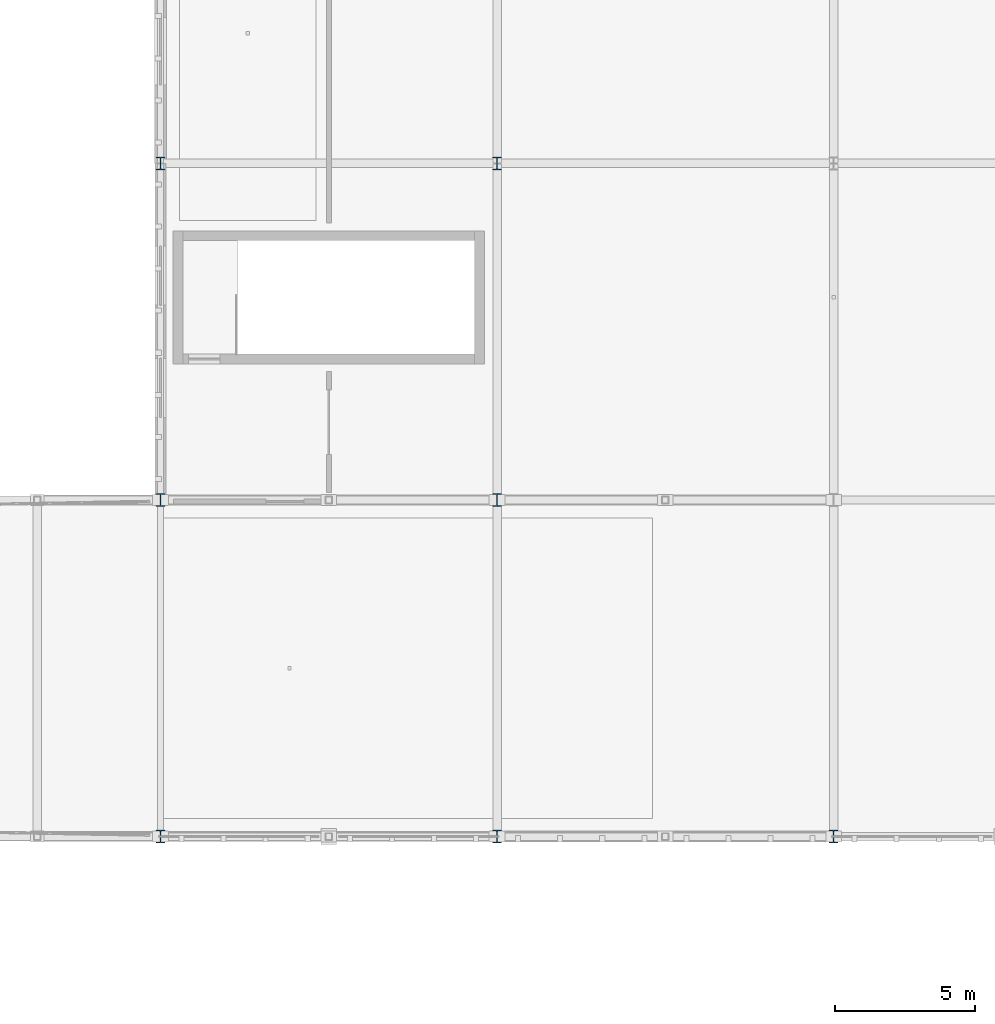
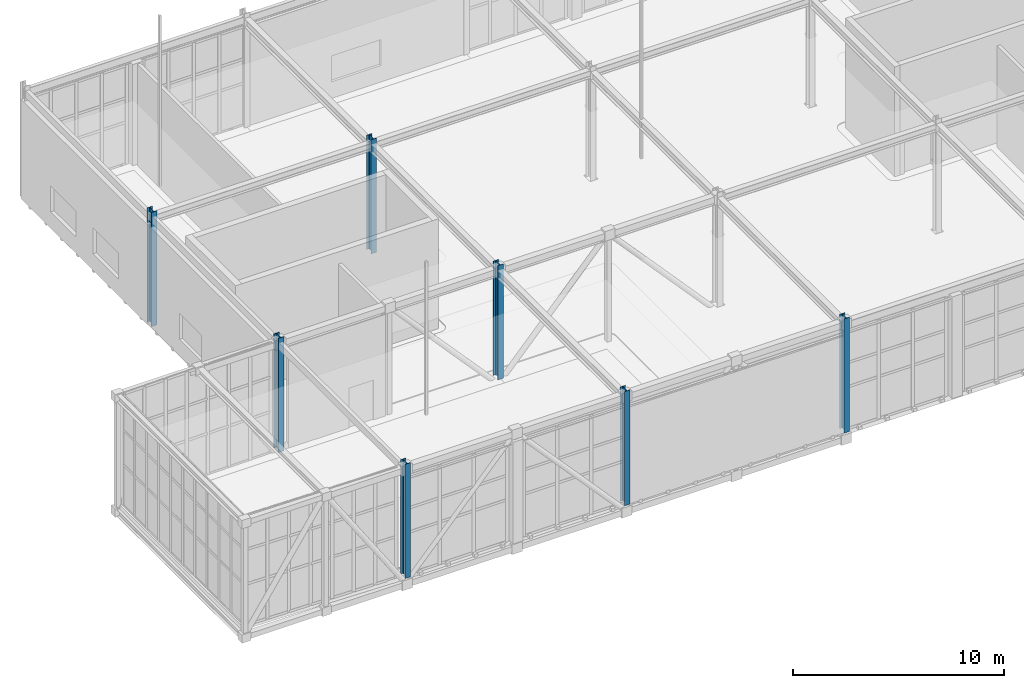
# One storey, part 1 of 62: 7 columns.
"""IFC4 building model written with IfcOpenShell, lengths in metres."""

from ifc_helpers import new_model, si_unit, direction, frame, origin, origin_2d, place, context, subcontext, project, spatial, i_section, extrude, material, material_profile, profile_set, type_object, element, save


model = new_model("IFC4")

# Units and contexts
model_context = context("Model", 3, precision=1e-05, world=origin(), true_north=direction((0.0, 1.0)))
body_context = subcontext(model_context, "Body", "Model", "MODEL_VIEW")
ifc_project = project(units=[si_unit("LENGTHUNIT", "METRE"), si_unit("AREAUNIT", "SQUARE_METRE"), si_unit("VOLUMEUNIT", "CUBIC_METRE"), si_unit("PLANEANGLEUNIT", "RADIAN"), si_unit("MASSUNIT", "GRAM", prefix="KILO")], contexts=[model_context])

# Site, building, storey
site_placement = place(None, origin())
site = spatial("IfcSite", under=ifc_project, at=site_placement, CompositionType="ELEMENT")
building_placement = place(site_placement, origin())
building = spatial("IfcBuilding", under=site, at=building_placement, Name="Zlatogorsky Bluff Art Gallery", CompositionType="ELEMENT")
storey_placement = place(building_placement, frame((0.0, 0.0, 16.800048828125)))
storey = spatial("IfcBuildingStorey", under=building, at=storey_placement, Name="L03", CompositionType="ELEMENT", Elevation=16.800048828125)

# Columns
ifc_material = material(Name="Steel S355", Category="steel")
ifc_material_profile = material_profile(ifc_material, i_section(OverallWidth=0.300048828125, OverallDepth=0.449951171875, WebThickness=0.013916015625, FlangeThickness=0.02587890625, FilletRadius=0.027099609375, at=origin_2d()), Name="HEB 450")
ifc_profile_set = profile_set([ifc_material_profile], Name="Steel S355")
column_type = type_object("IfcColumnType", Name="Column CL-03 HEB 450", PredefinedType="COLUMN", material=ifc_profile_set)
for number, where, z_axis, x_axis, name in (
    (1, (0.0, 84.0, 0.0), (0.0, 0.0, 1.0), (1.0, 0.0, 0.0), "Column CL-03 L03 A9"),
    (2, (0.0, 96.0, 0.0), (0.0, 0.0, 1.0), (1.0, 0.0, 0.0), "Column CL-03 L03 A10"),
    (3, (0.0, 108.0, 0.0), (0.0, 0.0, 1.0), (1.0, 0.0, 0.0), "Column CL-03 L03 A11"),
    (4, (12.0, 84.0, 0.0), (0.0, 0.0, 1.0), (1.0, 0.0, 0.0), "Column CL-03 L03 B9"),
    (5, (12.0, 96.0, 0.0), (0.0, 0.0, 1.0), (1.0, 0.0, 0.0), "Column CL-03 L03 B10"),
    (6, (12.0, 108.0, 0.0), (0.0, 0.0, 1.0), (1.0, 0.0, 0.0), "Column CL-03 L03 B11"),
    (7, (24.0, 84.0, 0.0), (0.0, 0.0, 1.0), (1.0, 0.0, 0.0), "Column CL-03 L03 C9"),
):
    element("IfcColumn", number, at=place(storey_placement, frame(where, z_axis=z_axis, x_axis=x_axis)), inside=storey, type_object=column_type, Name=name, PredefinedType="COLUMN", context=body_context, shape_type="SweptSolid", body=[
        extrude(i_section(OverallWidth=0.300048828125, OverallDepth=0.449951171875, WebThickness=0.013916015625, FlangeThickness=0.02587890625, FilletRadius=0.027099609375, at=origin_2d()), origin(), (0.0, 0.0, 1.0), 6.599853515625),
    ])

save(model, "model.ifc")
